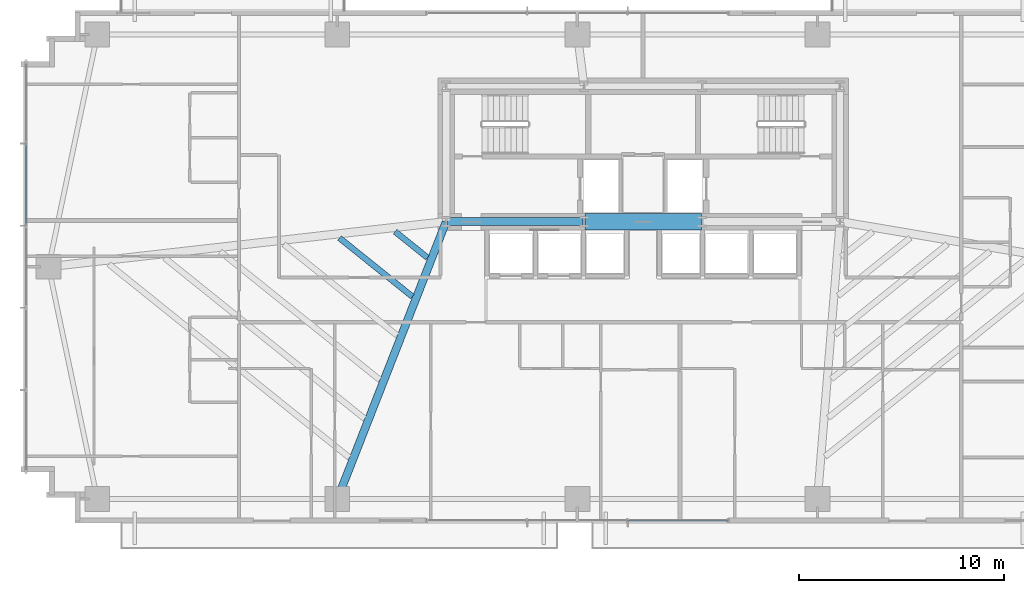
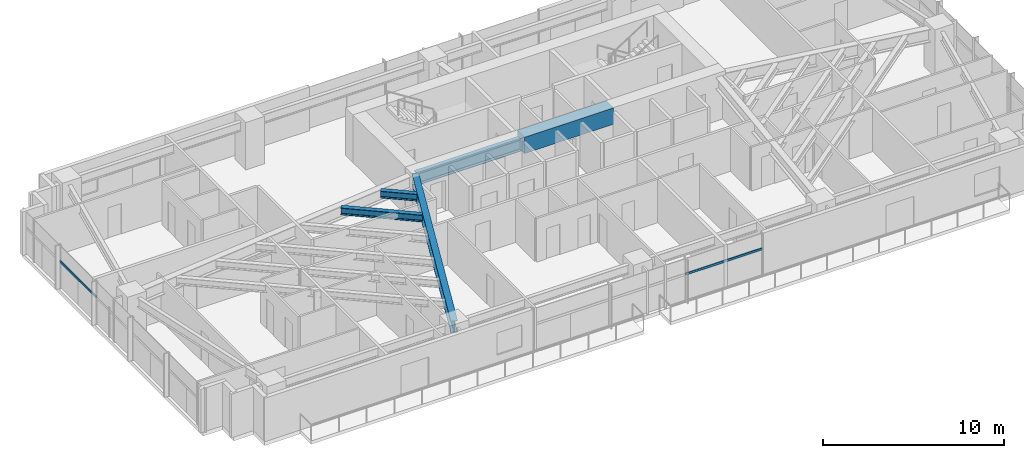
# One storey, part 7 of 25: 5 beams, 2 members, 2 elements without a shape of their own.
"""IFC4 building model written with IfcOpenShell, lengths in metres."""

from ifc_helpers import new_model, si_unit, direction, frame, origin, origin_2d, place, context, subcontext, project, spatial, rectangle, hollow_rectangle, i_section, extrude, source, transform, mapped, material, material_profile, profile_set, type_object, type_shapes, element, aggregate, save


model = new_model("IFC4")

# Units and contexts
model_context = context("Model", 3, precision=1e-05, world=origin(), true_north=direction((0.0, 1.0)))
body_context = subcontext(model_context, "Body", "Model", "MODEL_VIEW")
ifc_project = project(units=[si_unit("LENGTHUNIT", "METRE"), si_unit("AREAUNIT", "SQUARE_METRE"), si_unit("VOLUMEUNIT", "CUBIC_METRE"), si_unit("PLANEANGLEUNIT", "RADIAN"), si_unit("MASSUNIT", "GRAM", prefix="KILO")], contexts=[model_context])

# Site, building, storey
site_placement = place(None, origin())
site = spatial("IfcSite", under=ifc_project, at=site_placement, CompositionType="ELEMENT")
building_placement = place(site_placement, origin())
building = spatial("IfcBuilding", under=site, at=building_placement, Name="Astriad Promenade Condominiums", CompositionType="ELEMENT")
storey_placement = place(building_placement, frame((0.0, 0.0, 39.0)))
storey = spatial("IfcBuildingStorey", under=building, at=storey_placement, Name="L10", CompositionType="ELEMENT", Elevation=39.0)

# Beams
ifc_material_1 = material(Name="Steel ASTM A992 Grade 50", Category="steel")
ifc_material_profile_1 = material_profile(ifc_material_1, i_section(OverallWidth=0.3837890625, OverallDepth=0.785888671875, WebThickness=0.019775390625, FlangeThickness=0.033447265625, FilletRadius=0.021484375, at=origin_2d()), Name="W30X211")
ifc_profile_set_1 = profile_set([ifc_material_profile_1], Name="Steel ASTM A992 Grade 50")
beam_type_1 = type_object("IfcBeamType", Name="STEEL FLOOR GIRDER W30X211", PredefinedType="BEAM", material=ifc_profile_set_1)
shared_shape_1 = source(origin(), body_context, "Body", "SweptSolid", [
    extrude(i_section(OverallWidth=0.3837890625, OverallDepth=0.785888671875, WebThickness=0.019775390625, FlangeThickness=0.033447265625, FilletRadius=0.021484375, at=origin_2d()), origin(), (0.0, 0.0, 1.0), 6.64013671875),
])
beam_1_placement = place(storey_placement, frame((26.43994140625, 17.39990234375, 2.547119140625), z_axis=(1.0, 0.0, 0.0), x_axis=(0.0, 1.0, 0.0)))
element("IfcBeam", 1, at=beam_1_placement, inside=storey, type_object=beam_type_1, Name="Core Ring Beam CG-S1-L10", PredefinedType="BEAM", context=body_context, shape_type="MappedRepresentation", body=[
    mapped(shared_shape_1, transform((0.0, 0.0, 0.0), scale=1.0)),
])
ifc_material_2 = material(Name="Concrete C80/95", Category="concrete")
ifc_material_profile_2 = material_profile(ifc_material_2, rectangle(XDim=0.800048828125, YDim=1.10009765625, at=origin_2d()), Name="RC-BM-800X1100")
ifc_profile_set_2 = profile_set([ifc_material_profile_2], Name="Concrete C80/95")
beam_type_2 = type_object("IfcBeamType", Name="CONCRETE CORE COUPLING LINTEL 800X1100", PredefinedType="LINTEL", material=ifc_profile_set_2)
shared_shape_2 = source(origin(), body_context, "Body", "SweptSolid", [
    extrude(rectangle(XDim=0.800048828125, YDim=1.10009765625, at=origin_2d()), origin(), (0.0, 0.0, 1.0), 5.68017578125),
])
type_shapes(beam_type_2, [shared_shape_2])
beam_2_placement = place(storey_placement, frame((33.159912109375, 17.39990234375, 2.6298828125), z_axis=(1.0, 0.0, 0.0), x_axis=(0.0, 1.0, 0.0)))
element("IfcBeam", 2, at=beam_2_placement, inside=storey, type_object=beam_type_2, Name="Core Ring Beam CG-S2-L10", PredefinedType="LINTEL", context=body_context, shape_type="MappedRepresentation", body=[
    mapped(shared_shape_2, transform((0.0, 0.0, 0.0), scale=1.0)),
])
shared_shape_3 = source(origin(), body_context, "Body", "SweptSolid", [
    extrude(i_section(OverallWidth=0.3837890625, OverallDepth=0.785888671875, WebThickness=0.019775390625, FlangeThickness=0.033447265625, FilletRadius=0.021484375, at=origin_2d()), origin(), (0.0, 0.0, 1.0), 14.44189453125),
])
type_shapes(beam_type_1, [shared_shape_1, shared_shape_3])
beam_3_placement = place(storey_placement, frame((21.114501953125, 3.917236328125, 2.547119140625), z_axis=(0.364981228757, 0.931014877784, 0.0), x_axis=(-0.931014877784, 0.364981228757, 0.0)))
element("IfcBeam", 3, at=beam_3_placement, inside=storey, type_object=beam_type_1, Name="Primary Floor Girder PG-W2-L10", PredefinedType="BEAM", context=body_context, shape_type="MappedRepresentation", body=[
    mapped(shared_shape_3, transform((0.0, 0.0, 0.0), scale=1.0)),
])
ifc_material_profile_3 = material_profile(ifc_material_1, i_section(OverallWidth=0.283203125, OverallDepth=0.47216796875, WebThickness=0.013671875, FlangeThickness=0.022216796875, FilletRadius=0.01513671875, at=origin_2d()), Name="W18X97")
ifc_profile_set_3 = profile_set([ifc_material_profile_3], Name="Steel ASTM A992 Grade 50")
beam_type_3 = type_object("IfcBeamType", Name="STEEL FLOOR JOIST W18X97", PredefinedType="JOIST", material=ifc_profile_set_3)
shared_shape_4 = source(origin(), body_context, "Body", "SweptSolid", [
    extrude(i_section(OverallWidth=0.283203125, OverallDepth=0.47216796875, WebThickness=0.013671875, FlangeThickness=0.022216796875, FilletRadius=0.01513671875, at=origin_2d()), origin(), (0.0, 0.0, 1.0), 4.555419921875),
])
beam_4_placement = place(storey_placement, frame((21.201416015625, 16.600830078125, 2.703857421875), z_axis=(0.779365920634, -0.626569039894, 0.0), x_axis=(0.626569039894, 0.779365920634, 0.0)))
element("IfcBeam", 4, at=beam_4_placement, inside=storey, type_object=beam_type_3, Name="Secondary Composite Floor Joist JW1-5-L10", PredefinedType="JOIST", context=body_context, shape_type="MappedRepresentation", body=[
    mapped(shared_shape_4, transform((0.0, 0.0, 0.0), scale=1.0)),
])
shared_shape_5 = source(origin(), body_context, "Body", "SweptSolid", [
    extrude(i_section(OverallWidth=0.283203125, OverallDepth=0.47216796875, WebThickness=0.013671875, FlangeThickness=0.022216796875, FilletRadius=0.01513671875, at=origin_2d()), origin(), (0.0, 0.0, 1.0), 2.02587890625),
])
type_shapes(beam_type_3, [shared_shape_4, shared_shape_5])
beam_5_placement = place(storey_placement, frame((23.914794921875, 16.90869140625, 2.703857421875), z_axis=(0.779373362939, -0.626559782576, 0.0), x_axis=(0.626559782576, 0.779373362939, 0.0)))
element("IfcBeam", 5, at=beam_5_placement, inside=storey, type_object=beam_type_3, Name="Secondary Composite Floor Joist JW1-6-L10", PredefinedType="JOIST", context=body_context, shape_type="MappedRepresentation", body=[
    mapped(shared_shape_5, transform((0.0, 0.0, 0.0), scale=1.0)),
])

# Curtain wall, member
ifc_material_3 = material(Name="Anodised aluminium Black Dark Glass Unitised", Category="aluminium")
curtain_wall_type = type_object("IfcCurtainWallType", Name="CW-B1-DARK", PredefinedType="USERDEFINED", material=ifc_material_3)
curtain_wall_1_placement = place(storey_placement, origin())
curtain_wall_1 = element("IfcCurtainWall", 6, at=curtain_wall_1_placement, inside=storey, type_object=curtain_wall_type, Name="CW-L10-W", ObjectType="UNITISED_CURTAIN_WALL", PredefinedType="USERDEFINED")
ifc_material_4 = material(Name="Anodised aluminium 6063-T6 Black", Category="aluminium")
ifc_material_profile_4 = material_profile(ifc_material_4, hollow_rectangle(XDim=0.074951171875, YDim=0.14990234375, WallThickness=0.004150390625, at=origin_2d()), Name="ALU-TRN-75X150")
ifc_profile_set_4 = profile_set([ifc_material_profile_4], Name="Anodised aluminium 6063-T6 Black")
member_type = type_object("IfcMemberType", Name="TRN-ALU-TRN-75X150", PredefinedType="USERDEFINED", material=ifc_profile_set_4)
shared_shape_6 = source(origin(), body_context, "Body", "SweptSolid", [
    extrude(hollow_rectangle(XDim=0.074951171875, YDim=0.14990234375, WallThickness=0.004150390625, at=origin_2d()), origin(), (0.0, 0.0, 1.0), 4.0),
])
member_1_placement = place(storey_placement, frame((5.929931640625, 17.199951171875, 1.82275390625), z_axis=(0.0, 1.0, 0.0), x_axis=(-1.0, 0.0, 0.0)))
member_1 = element("IfcMember", 7, at=member_1_placement, type_object=member_type, Name="CW-L10-W-TRN-03-0", ObjectType="TRANSOM", PredefinedType="USERDEFINED", context=body_context, shape_type="MappedRepresentation", body=[
    mapped(shared_shape_6, transform((0.0, 0.0, 0.0), scale=1.0)),
])
aggregate(curtain_wall_1, [member_1])

curtain_wall_2_placement = place(storey_placement, origin())
curtain_wall_2 = element("IfcCurtainWall", 8, at=curtain_wall_2_placement, inside=storey, type_object=curtain_wall_type, Name="CW-L10-S", ObjectType="UNITISED_CURTAIN_WALL", PredefinedType="USERDEFINED")
shared_shape_7 = source(origin(), body_context, "Body", "SweptSolid", [
    extrude(hollow_rectangle(XDim=0.074951171875, YDim=0.14990234375, WallThickness=0.004150390625, at=origin_2d()), origin(), (0.0, 0.0, 1.0), 4.89990234375),
])
type_shapes(member_type, [shared_shape_6, shared_shape_7])
member_2_placement = place(storey_placement, frame((40.14990234375, 2.830078125, 1.82275390625), z_axis=(-1.0, 0.0, 0.0), x_axis=(0.0, -1.0, 0.0)))
member_2 = element("IfcMember", 9, at=member_2_placement, type_object=member_type, Name="CW-L10-S-TRN-00-0", ObjectType="TRANSOM", PredefinedType="USERDEFINED", context=body_context, shape_type="MappedRepresentation", body=[
    mapped(shared_shape_7, transform((0.0, 0.0, 0.0), scale=1.0)),
])
aggregate(curtain_wall_2, [member_2])

save(model, "model.ifc")
